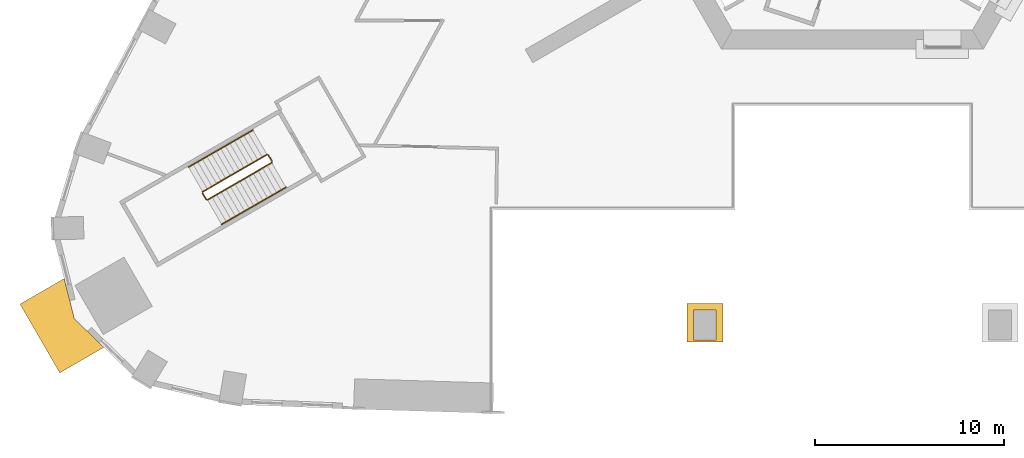
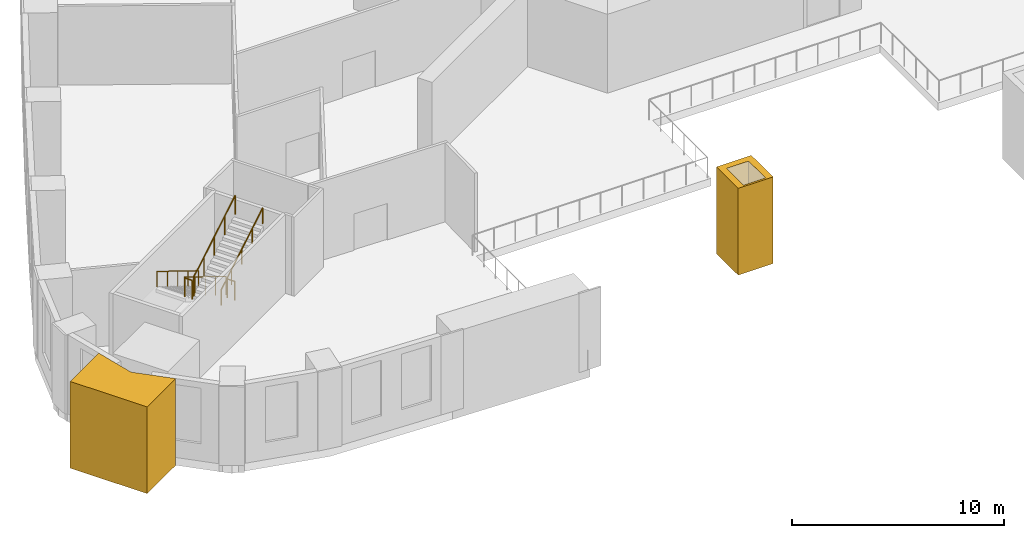
# One storey, part 12 of 16: 6 railings, 2 coverings.
"""IFC4 building model written with IfcOpenShell, lengths in metres."""

import ifcopenshell
import ifcopenshell.guid

model = None  # the IFC model being written
_history = None  # IfcOwnerHistory: only IFC2X3 demands one
_inside = {}  # id of a spatial element -> (the spatial element, [elements in it])
_under = {}  # id of a project, library or spatial element -> (it, [spatial elements below it])
_declared = {}  # id of a project -> (the project, [libraries it declares])
_typed = {}  # id of a type object -> (the type object, [elements of that type])
_made_of = {}  # id of a material, layer set ... -> (it, [elements and type objects made of it])


def new_model(schema):
    """Start an empty IFC model of exactly this schema.

    Asked for "IFC4X3", IfcOpenShell would pick the latest addendum, in which some entities
    have other attributes; the version numbers below select the first issue.
    IFC2X3 requires an IfcOwnerHistory on every rooted entity: one is made here for all.
    """
    global model, _history
    if schema == "IFC4X3":
        model = ifcopenshell.file(schema_version=(4, 3, 0, 0))
    else:
        model = ifcopenshell.file(schema=schema)
    _inside.clear()
    _under.clear()
    _declared.clear()
    _typed.clear()
    _made_of.clear()
    _history = None
    if model.schema == "IFC2X3":
        org = make("IfcOrganization", Name="unknown")
        user = make(
            "IfcPersonAndOrganization",
            ThePerson=make("IfcPerson", FamilyName="unknown"),
            TheOrganization=org,
        )
        app = make(
            "IfcApplication",
            ApplicationDeveloper=org,
            Version="unknown",
            ApplicationFullName="unknown",
            ApplicationIdentifier="unknown",
        )
        _history = make(
            "IfcOwnerHistory",
            OwningUser=user,
            OwningApplication=app,
            ChangeAction="ADDED",
            CreationDate=0,
        )
    return model


def make(cls, **values):
    """One entity of the class cls with the attributes given. An attribute that is None is left unset."""
    return model.create_entity(
        cls, **{name: value for name, value in values.items() if value is not None}
    )


def rooted(cls, **values):
    """An entity with a GlobalId (a new one), such as an element, a storey or a relation."""
    return make(cls, GlobalId=ifcopenshell.guid.new(), OwnerHistory=_history, **values)


def si_unit(unit_type, name, prefix=None):
    """IfcSIUnit, for example si_unit("LENGTHUNIT", "METRE", prefix="MILLI")."""
    return make("IfcSIUnit", UnitType=unit_type, Prefix=prefix, Name=name)


def assignment(units):
    """IfcUnitAssignment: the units of a project."""
    return None if units is None else make("IfcUnitAssignment", Units=units)


def point(xyz):
    """IfcCartesianPoint."""
    return None if xyz is None else make("IfcCartesianPoint", Coordinates=xyz)


def direction(xyz):
    """IfcDirection."""
    return None if xyz is None else make("IfcDirection", DirectionRatios=xyz)


def frame(location, z_axis=None, x_axis=None):
    """IfcAxis2Placement3D, a coordinate frame: its origin and axes. An axis left out is left unset."""
    return make(
        "IfcAxis2Placement3D",
        Location=point(location),
        Axis=direction(z_axis),
        RefDirection=direction(x_axis),
    )


def frame_2d(location, x_axis=None):
    """IfcAxis2Placement2D, a coordinate frame in the plane: its origin and x axis."""
    return make(
        "IfcAxis2Placement2D", Location=point(location), RefDirection=direction(x_axis)
    )


def origin():
    """The frame at (0, 0, 0) with its axes left unset."""
    return frame((0.0, 0.0, 0.0))


def origin_2d():
    """The frame at (0, 0) in the plane with its x axis left unset."""
    return frame_2d((0.0, 0.0))


def place(relative_to, where):
    """IfcLocalPlacement: puts the frame where relative to a parent placement (None: the world)."""
    return make(
        "IfcLocalPlacement", PlacementRelTo=relative_to, RelativePlacement=where
    )


def context(
    kind, dimensions, precision=None, world=None, true_north=None, identifier=None
):
    """IfcGeometricRepresentationContext, for example the 3D "Model" context."""
    return make(
        "IfcGeometricRepresentationContext",
        ContextIdentifier=identifier,
        ContextType=kind,
        CoordinateSpaceDimension=dimensions,
        Precision=precision,
        WorldCoordinateSystem=world,
        TrueNorth=true_north,
    )


def subcontext(parent, identifier, kind, view, scale=None):
    """IfcGeometricRepresentationSubContext, for example "Body" below "Model"."""
    return make(
        "IfcGeometricRepresentationSubContext",
        ContextIdentifier=identifier,
        ContextType=kind,
        ParentContext=parent,
        TargetScale=scale,
        TargetView=view,
    )


def project(units=None, contexts=None):
    """IfcProject with its units and contexts."""
    return rooted(
        "IfcProject",
        Name="project",
        RepresentationContexts=contexts,
        UnitsInContext=assignment(units),
    )


def spatial(cls, under=None, at=None, **own):
    """A site, building, storey or space (cls), placed at a placement, below another one or the project."""
    s = rooted(cls, ObjectPlacement=at, **own)
    if under is not None:
        _under.setdefault(under.id(), (under, []))[1].append(s)
    return s


def polyline(points):
    """IfcPolyline through the points."""
    return make("IfcPolyline", Points=[point(p) for p in points])


def profile(cls, at=None, kind="AREA", **sizes):
    """A parametric profile (cls). Its sizes go by their IFC names, for example OverallWidth=200.0."""
    return make(cls, ProfileType=kind, Position=at, **sizes)


def circle(**sizes):
    """IfcCircleProfileDef."""
    return profile("IfcCircleProfileDef", **sizes)


def outline(outer, holes=None, kind="AREA"):
    """IfcArbitraryClosedProfileDef: a profile drawn as a closed curve; with holes, ...WithVoids."""
    if holes is None:
        return make("IfcArbitraryClosedProfileDef", ProfileType=kind, OuterCurve=outer)
    return make(
        "IfcArbitraryProfileDefWithVoids",
        ProfileType=kind,
        OuterCurve=outer,
        InnerCurves=holes,
    )


def extrude(swept, where, along, depth):
    """IfcExtrudedAreaSolid: the profile swept, set in the frame where, extruded along a direction by depth."""
    return make(
        "IfcExtrudedAreaSolid",
        SweptArea=swept,
        Position=where,
        ExtrudedDirection=direction(along),
        Depth=depth,
    )


def shape(context_of_items, identifier, shape_type, items):
    """IfcShapeRepresentation: the items that make up one representation, for example the "Body"."""
    return make(
        "IfcShapeRepresentation",
        ContextOfItems=context_of_items,
        RepresentationIdentifier=identifier,
        RepresentationType=shape_type,
        Items=items,
    )


def material(Name=None, Category=None):
    """IfcMaterial."""
    return make("IfcMaterial", Name=Name, Category=Category)


def made_of(thing, what):
    """Note that an element or type object is made of a material, layer set ...; save() writes the relation."""
    if what is not None:
        _made_of.setdefault(what.id(), (what, []))[1].append(thing)
    return thing


def type_object(cls, material=None, **own):
    """A type object (cls), such as IfcWallType, which elements share."""
    return made_of(rooted(cls, **own), material)


def element(
    cls,
    number,
    at=None,
    inside=None,
    cuts=None,
    type_object=None,
    material=None,
    context=None,
    identifier="Body",
    shape_type=None,
    held_by="IfcProductDefinitionShape",
    body=None,
    shapes=None,
    **own,
):
    """One element of the class cls, such as IfcWall. Its Tag is "e" and its number.

    at: its placement. inside: the storey or other place that contains it. cuts: it is an
    opening in that element (IfcRelVoidsElement). A single representation is given by context,
    identifier, shape_type and body (its items); several are given by shapes. held_by: the class
    of the entity that holds the representations. save() writes the other relations.
    """
    e = rooted(cls, Tag="e%d" % number, ObjectPlacement=at, **own)
    if body is not None:
        shapes = [shape(context, identifier, shape_type, body)]
    if shapes is not None:
        e.Representation = make(held_by, Representations=shapes)
    if inside is not None:
        _inside.setdefault(inside.id(), (inside, []))[1].append(e)
    if cuts is not None:
        rooted(
            "IfcRelVoidsElement", RelatingBuildingElement=cuts, RelatedOpeningElement=e
        )
    if type_object is not None:
        _typed.setdefault(type_object.id(), (type_object, []))[1].append(e)
    return made_of(e, material)


def aggregate(whole, parts):
    """IfcRelAggregates: a whole, such as a stair, and the parts it consists of."""
    return rooted("IfcRelAggregates", RelatingObject=whole, RelatedObjects=parts)


def save(model, path):
    """Write the relations noted so far, then the file.

    IfcRelAggregates (storeys below a building ...), IfcRelContainedInSpatialStructure (elements
    in a storey), IfcRelDefinesByType, IfcRelAssociatesMaterial and IfcRelDeclares: one each for
    every whole, place, type object, material and project.
    """
    for whole, parts in _under.values():
        aggregate(whole, parts)
    for where, things in _inside.values():
        rooted(
            "IfcRelContainedInSpatialStructure",
            RelatedElements=things,
            RelatingStructure=where,
        )
    for kind, things in _typed.values():
        rooted("IfcRelDefinesByType", RelatedObjects=things, RelatingType=kind)
    for what, things in _made_of.values():
        rooted("IfcRelAssociatesMaterial", RelatedObjects=things, RelatingMaterial=what)
    for by, libraries in _declared.values():
        rooted("IfcRelDeclares", RelatingContext=by, RelatedDefinitions=libraries)
    model.write(path)


model = new_model("IFC4")

# Units and contexts
model_context = context("Model", 3, precision=1e-05, world=origin(), true_north=direction((0.0, 1.0)))
body_context = subcontext(model_context, "Body", "Model", "MODEL_VIEW")
ifc_project = project(units=[si_unit("LENGTHUNIT", "METRE"), si_unit("AREAUNIT", "SQUARE_METRE"), si_unit("VOLUMEUNIT", "CUBIC_METRE"), si_unit("PLANEANGLEUNIT", "RADIAN"), si_unit("MASSUNIT", "GRAM", prefix="KILO")], contexts=[model_context])

# Site, building, storey
site_placement = place(None, origin())
site = spatial("IfcSite", under=ifc_project, at=site_placement, CompositionType="ELEMENT")
building_placement = place(site_placement, origin())
building = spatial("IfcBuilding", under=site, at=building_placement, Name="Entoto Arch Interchange Tower", CompositionType="ELEMENT")
storey_placement = place(building_placement, frame((0.0, 0.0, 25.0)))
storey = spatial("IfcBuildingStorey", under=building, at=storey_placement, Name="L04", CompositionType="ELEMENT", Elevation=25.0)

# Coverings
ifc_material_1 = material(Name="Board-marked precast concrete C50/60", Category="concrete")
covering_type = type_object("IfcCoveringType", Name="PRECAST FRAME COURSE", PredefinedType="CLADDING", material=ifc_material_1)
covering_1_placement = place(storey_placement, frame((0.0, 0.0, -0.449951171875)))
element("IfcCovering", 1, at=covering_1_placement, inside=storey, type_object=covering_type, Name="Podium corner pier SW L04", PredefinedType="CLADDING", context=body_context, shape_type="SweptSolid", body=[
    extrude(outline(polyline([(-44.01611328125, -22.987060546875), (-41.679931640625, -21.638916015625), (-41.14697265625, -23.756103515625), (-39.580078125, -25.27587890625), (-41.916015625, -26.625), (-44.01611328125, -22.987060546875)])), origin(), (0.0, 0.0, 1.0), 5.0),
])
covering_2_placement = place(storey_placement, frame((0.0, 0.0, -0.449951171875)))
element("IfcCovering", 2, at=covering_2_placement, inside=storey, type_object=covering_type, Name="Gate pier L04", PredefinedType="CLADDING", context=body_context, shape_type="SweptSolid", body=[
    extrude(outline(polyline([(-8.75, -22.949951171875), (-6.85009765625, -22.949951171875), (-6.85009765625, -24.9990234375), (-8.75, -24.9990234375), (-8.75, -22.949951171875)]), holes=[polyline([(-8.39990234375, -23.300048828125), (-8.39990234375, -24.89990234375), (-7.199951171875, -24.89990234375), (-7.199951171875, -23.300048828125), (-8.39990234375, -23.300048828125)])]), origin(), (0.0, 0.0, 1.0), 5.0),
])

# Railings
ifc_material_2 = material(Name="Stainless steel 1.4301", Category="steel")
railing_type_1 = type_object("IfcRailingType", Name="STAIR GUARD 1100 STEEL", PredefinedType="GUARDRAIL", material=ifc_material_2)
railing_1_placement = place(storey_placement, frame((-30.95556640625, -15.08349609375, 0.166748046875)))
element("IfcRailing", 3, at=railing_1_placement, inside=storey, type_object=railing_type_1, Name="L04 PST-SW stair guard 1", PredefinedType="GUARDRAIL", context=body_context, shape_type="SweptSolid", body=[
    extrude(circle(Radius=0.02392578125, at=origin_2d()), frame((0.0, 0.0, 1.076171875), z_axis=(-0.744174672596, -0.429646477641, 0.511476256455), x_axis=(0.499997407846, -0.86602690036, 0.0)), (0.0, 0.0, 1.0), 4.561767578125),
    extrude(circle(Radius=0.02099609375, at=origin_2d()), origin(), (0.0, 0.0, 1.0), 1.052001953125),
    extrude(circle(Radius=0.02099609375, at=origin_2d()), frame((-0.8486328125, -0.489990234375, 0.583251953125)), (0.0, 0.0, 1.0), 1.052001953125),
    extrude(circle(Radius=0.02099609375, at=origin_2d()), frame((-1.697265625, -0.97998046875, 1.16650390625)), (0.0, 0.0, 1.0), 1.052001953125),
    extrude(circle(Radius=0.02099609375, at=origin_2d()), frame((-2.546142578125, -1.469970703125, 1.75)), (0.0, 0.0, 1.0), 1.052001953125),
    extrude(circle(Radius=0.02099609375, at=origin_2d()), frame((-3.394775390625, -1.9599609375, 2.333251953125)), (0.0, 0.0, 1.0), 1.052001953125),
])
railing_2_placement = place(storey_placement, frame((-34.36865234375, -17.11181640625, 2.5)))
element("IfcRailing", 4, at=railing_2_placement, inside=storey, type_object=railing_type_1, Name="L04 PST-SW stair guard 2", PredefinedType="GUARDRAIL", context=body_context, shape_type="SweptSolid", body=[
    extrude(circle(Radius=0.02392578125, at=origin_2d()), frame((0.0, 0.0, 1.076171875), z_axis=(0.499880961361, -0.866094119867, 0.0), x_axis=(0.866094119867, 0.499880961361, 0.0)), (0.0, 0.0, 1.0), 0.39990234375),
    extrude(circle(Radius=0.02099609375, at=origin_2d()), origin(), (0.0, 0.0, 1.0), 1.052001953125),
    extrude(circle(Radius=0.02099609375, at=origin_2d()), frame((0.199951171875, -0.346435546875, 0.0)), (0.0, 0.0, 1.0), 1.052001953125),
])
railing_3_placement = place(storey_placement, frame((-34.100341796875, -17.4765625, 2.666748046875)))
element("IfcRailing", 5, at=railing_3_placement, inside=storey, type_object=railing_type_1, Name="L04 PST-SW stair guard 3", PredefinedType="GUARDRAIL", context=body_context, shape_type="SweptSolid", body=[
    extrude(circle(Radius=0.02392578125, at=origin_2d()), frame((0.0, 0.0, 1.076171875), z_axis=(0.744174672596, 0.429646477641, 0.511476256455), x_axis=(-0.499997407846, 0.86602690036, 0.0)), (0.0, 0.0, 1.0), 4.561767578125),
    extrude(circle(Radius=0.02099609375, at=origin_2d()), origin(), (0.0, 0.0, 1.0), 1.052001953125),
    extrude(circle(Radius=0.02099609375, at=origin_2d()), frame((0.8486328125, 0.489990234375, 0.583251953125)), (0.0, 0.0, 1.0), 1.052001953125),
    extrude(circle(Radius=0.02099609375, at=origin_2d()), frame((1.697265625, 0.97998046875, 1.16650390625)), (0.0, 0.0, 1.0), 1.052001953125),
    extrude(circle(Radius=0.02099609375, at=origin_2d()), frame((2.546142578125, 1.469970703125, 1.75)), (0.0, 0.0, 1.0), 1.052001953125),
    extrude(circle(Radius=0.02099609375, at=origin_2d()), frame((3.394775390625, 1.9599609375, 2.333251953125)), (0.0, 0.0, 1.0), 1.052001953125),
])
railing_4_placement = place(storey_placement, frame((-30.88720703125, -15.101806640625, 0.0)))
element("IfcRailing", 6, at=railing_4_placement, inside=storey, type_object=railing_type_1, Name="L04 PST-SW stair guard 4", PredefinedType="GUARDRAIL", context=body_context, shape_type="SweptSolid", body=[
    extrude(circle(Radius=0.02392578125, at=origin_2d()), frame((0.0, 0.0, 1.076171875), z_axis=(0.499880961361, -0.866094119867, 0.0), x_axis=(0.866094119867, 0.499880961361, 0.0)), (0.0, 0.0, 1.0), 0.39990234375),
    extrude(circle(Radius=0.02099609375, at=origin_2d()), origin(), (0.0, 0.0, 1.0), 1.052001953125),
    extrude(circle(Radius=0.02099609375, at=origin_2d()), frame((0.199951171875, -0.346435546875, 0.0)), (0.0, 0.0, 1.0), 1.052001953125),
])
railing_type_2 = type_object("IfcRailingType", Name="STAIR HANDRAIL 900 STEEL", PredefinedType="HANDRAIL", material=ifc_material_2)
railing_5_placement = place(storey_placement, frame((-31.70556640625, -13.784423828125, 0.166748046875)))
element("IfcRailing", 7, at=railing_5_placement, inside=storey, type_object=railing_type_2, Name="L04 PST-SW stair handrail 1", PredefinedType="HANDRAIL", context=body_context, shape_type="SweptSolid", body=[
    extrude(circle(Radius=0.02392578125, at=origin_2d()), frame((0.0, 0.0, 0.8759765625), z_axis=(-0.744174672596, -0.429646477641, 0.511476256455), x_axis=(0.499997407846, -0.86602690036, 0.0)), (0.0, 0.0, 1.0), 4.561767578125),
    extrude(circle(Radius=0.02099609375, at=origin_2d()), origin(), (0.0, 0.0, 1.0), 0.851806640625),
    extrude(circle(Radius=0.02099609375, at=origin_2d()), frame((-0.8486328125, -0.489990234375, 0.583251953125)), (0.0, 0.0, 1.0), 0.851806640625),
    extrude(circle(Radius=0.02099609375, at=origin_2d()), frame((-1.697265625, -0.97998046875, 1.16650390625)), (0.0, 0.0, 1.0), 0.851806640625),
    extrude(circle(Radius=0.02099609375, at=origin_2d()), frame((-2.546142578125, -1.469970703125, 1.75)), (0.0, 0.0, 1.0), 0.851806640625),
    extrude(circle(Radius=0.02099609375, at=origin_2d()), frame((-3.394775390625, -1.9599609375, 2.333251953125)), (0.0, 0.0, 1.0), 0.851806640625),
])
railing_6_placement = place(storey_placement, frame((-33.350341796875, -18.775634765625, 2.666748046875)))
element("IfcRailing", 8, at=railing_6_placement, inside=storey, type_object=railing_type_2, Name="L04 PST-SW stair handrail 2", PredefinedType="HANDRAIL", context=body_context, shape_type="SweptSolid", body=[
    extrude(circle(Radius=0.02392578125, at=origin_2d()), frame((0.0, 0.0, 0.8759765625), z_axis=(0.744174672596, 0.429646477641, 0.511476256455), x_axis=(-0.499997407846, 0.86602690036, 0.0)), (0.0, 0.0, 1.0), 4.561767578125),
    extrude(circle(Radius=0.02099609375, at=origin_2d()), origin(), (0.0, 0.0, 1.0), 0.851806640625),
    extrude(circle(Radius=0.02099609375, at=origin_2d()), frame((0.8486328125, 0.489990234375, 0.583251953125)), (0.0, 0.0, 1.0), 0.851806640625),
    extrude(circle(Radius=0.02099609375, at=origin_2d()), frame((1.697265625, 0.97998046875, 1.16650390625)), (0.0, 0.0, 1.0), 0.851806640625),
    extrude(circle(Radius=0.02099609375, at=origin_2d()), frame((2.546142578125, 1.469970703125, 1.75)), (0.0, 0.0, 1.0), 0.851806640625),
    extrude(circle(Radius=0.02099609375, at=origin_2d()), frame((3.394775390625, 1.9599609375, 2.333251953125)), (0.0, 0.0, 1.0), 0.851806640625),
])

save(model, "model.ifc")
